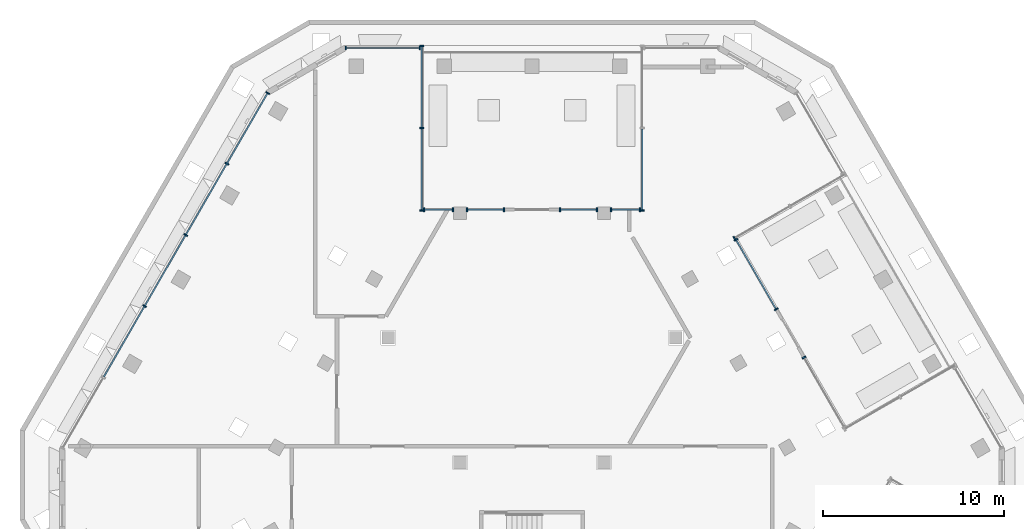
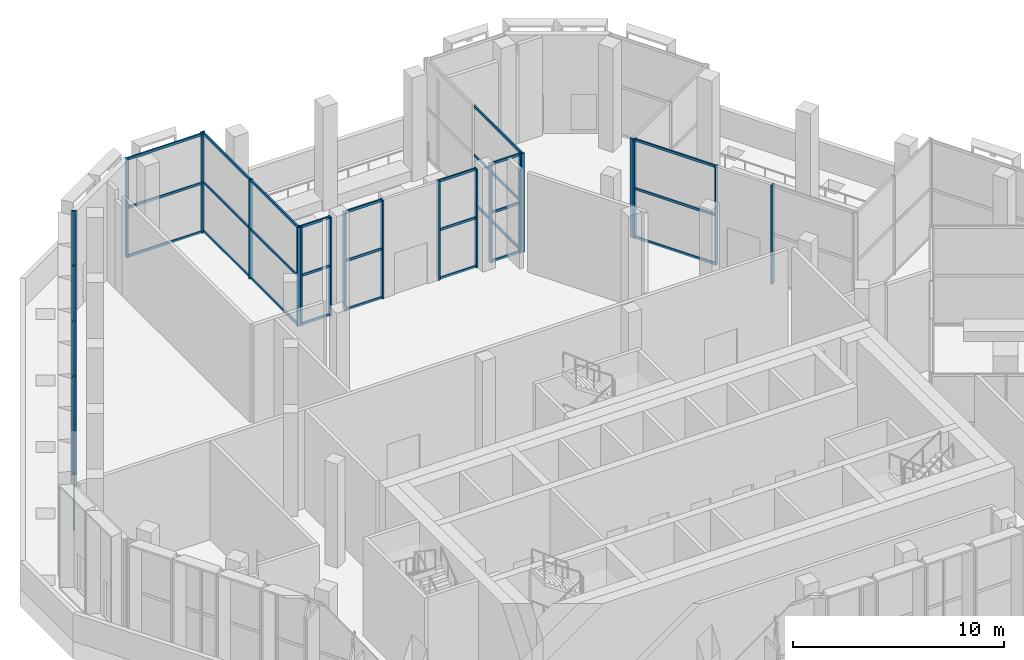
# One storey, part 4 of 23: 61 members, 11 elements without a shape of their own.
"""IFC4 building model written with IfcOpenShell, lengths in metres."""

from ifc_helpers import new_model, si_unit, direction, frame, origin, origin_2d, place, context, subcontext, project, spatial, rectangle, hollow_rectangle, extrude, material, material_profile, profile_set, type_object, element, aggregate, save


model = new_model("IFC4")

# Units and contexts
model_context = context("Model", 3, precision=1e-05, world=origin(), true_north=direction((0.0, 1.0)))
body_context = subcontext(model_context, "Body", "Model", "MODEL_VIEW")
ifc_project = project(units=[si_unit("LENGTHUNIT", "METRE"), si_unit("AREAUNIT", "SQUARE_METRE"), si_unit("VOLUMEUNIT", "CUBIC_METRE"), si_unit("PLANEANGLEUNIT", "RADIAN"), si_unit("MASSUNIT", "GRAM", prefix="KILO")], contexts=[model_context])

# Site, building, storey
site_placement = place(None, origin())
site = spatial("IfcSite", under=ifc_project, at=site_placement, CompositionType="ELEMENT")
building_placement = place(site_placement, origin())
building = spatial("IfcBuilding", under=site, at=building_placement, Name="Beryl Residences", CompositionType="ELEMENT")
storey_placement = place(building_placement, frame((0.0, 0.0, 157.199951171875)))
storey = spatial("IfcBuildingStorey", under=building, at=storey_placement, Name="L48", CompositionType="ELEMENT", Elevation=157.199951171875)

# Curtain wall, members
ifc_material_1 = material(Name="Aluminium and clear glass", Category="aluminium")
curtain_wall_type = type_object("IfcCurtainWallType", Name="CW3 sky garden glazing glazed wall", PredefinedType="NOTDEFINED", material=ifc_material_1)
curtain_wall_1_placement = place(storey_placement, origin())
curtain_wall_1 = element("IfcCurtainWall", 1, at=curtain_wall_1_placement, inside=storey, type_object=curtain_wall_type, Name="CW3 L48 N", PredefinedType="NOTDEFINED")
ifc_material_2 = material(Name="Aluminium", Category="aluminium")
ifc_material_profile_1 = material_profile(ifc_material_2, rectangle(XDim=0.080078125, YDim=0.219970703125, at=origin_2d()))
ifc_profile_set_1 = profile_set([ifc_material_profile_1], Name="Aluminium")
member_type_1 = type_object("IfcMemberType", Name="CW3-M mullion 80 x 220 mm", PredefinedType="MULLION", material=ifc_profile_set_1)
member_1_placement = place(storey_placement, frame((-6.215087890625, 24.050048828125, 0.0), z_axis=(0.0, 0.0, 1.0), x_axis=(-1.0, 0.0, 0.0)))
member_1 = element("IfcMember", 2, at=member_1_placement, type_object=member_type_1, Name="CW3 mullion 1", PredefinedType="MULLION", context=body_context, shape_type="SweptSolid", body=[
    extrude(rectangle(XDim=0.080078125, YDim=0.219970703125, at=origin_2d()), origin(), (0.0, 0.0, 1.0), 5.699951171875),
])
member_2_placement = place(storey_placement, frame((-10.31201171875, 24.050048828125, 0.0), z_axis=(0.0, 0.0, 1.0), x_axis=(-1.0, 0.0, 0.0)))
member_2 = element("IfcMember", 3, at=member_2_placement, type_object=member_type_1, Name="CW3 mullion 2", PredefinedType="MULLION", context=body_context, shape_type="SweptSolid", body=[
    extrude(rectangle(XDim=0.080078125, YDim=0.219970703125, at=origin_2d()), origin(), (0.0, 0.0, 1.0), 5.699951171875),
])

curtain_wall_2_placement = place(storey_placement, origin())
curtain_wall_2 = element("IfcCurtainWall", 4, at=curtain_wall_2_placement, inside=storey, type_object=curtain_wall_type, Name="CW3 L48 NW", PredefinedType="NOTDEFINED")
member_3_placement = place(storey_placement, frame((-14.633056640625, 21.555419921875, 0.0), z_axis=(0.0, 0.0, 1.0), x_axis=(-0.499996022832, -0.866027699992, 0.0)))
member_3 = element("IfcMember", 5, at=member_3_placement, type_object=member_type_1, Name="CW3 mullion 1", PredefinedType="MULLION", context=body_context, shape_type="SweptSolid", body=[
    extrude(rectangle(XDim=0.080078125, YDim=0.219970703125, at=origin_2d()), origin(), (0.0, 0.0, 1.0), 5.699951171875),
])
member_4_placement = place(storey_placement, frame((-16.89111328125, 17.64404296875, 0.0), z_axis=(0.0, 0.0, 1.0), x_axis=(-0.499996022832, -0.866027699992, 0.0)))
member_4 = element("IfcMember", 6, at=member_4_placement, type_object=member_type_1, Name="CW3 mullion 2", PredefinedType="MULLION", context=body_context, shape_type="SweptSolid", body=[
    extrude(rectangle(XDim=0.080078125, YDim=0.219970703125, at=origin_2d()), origin(), (0.0, 0.0, 1.0), 5.699951171875),
])
member_5_placement = place(storey_placement, frame((-19.16943359375, 13.697998046875, 0.0), z_axis=(0.0, 0.0, 1.0), x_axis=(-0.499996022832, -0.866027699992, 0.0)))
member_5 = element("IfcMember", 7, at=member_5_placement, type_object=member_type_1, Name="CW3 mullion 3", PredefinedType="MULLION", context=body_context, shape_type="SweptSolid", body=[
    extrude(rectangle(XDim=0.080078125, YDim=0.219970703125, at=origin_2d()), origin(), (0.0, 0.0, 1.0), 5.699951171875),
])
member_6_placement = place(storey_placement, frame((-21.447509765625, 9.751953125, 0.0), z_axis=(0.0, 0.0, 1.0), x_axis=(-0.499996022832, -0.866027699992, 0.0)))
member_6 = element("IfcMember", 8, at=member_6_placement, type_object=member_type_1, Name="CW3 mullion 4", PredefinedType="MULLION", context=body_context, shape_type="SweptSolid", body=[
    extrude(rectangle(XDim=0.080078125, YDim=0.219970703125, at=origin_2d()), origin(), (0.0, 0.0, 1.0), 5.699951171875),
])

curtain_wall_3_placement = place(storey_placement, origin())
curtain_wall_3 = element("IfcCurtainWall", 9, at=curtain_wall_3_placement, inside=storey, type_object=curtain_wall_type, Name="CW3 L48 N garden back", PredefinedType="NOTDEFINED")
member_7_placement = place(storey_placement, frame((5.985107421875, 15.10009765625, 0.0), z_axis=(0.0, 0.0, 1.0), x_axis=(-1.0, 0.0, 0.0)))
member_7 = element("IfcMember", 10, at=member_7_placement, type_object=member_type_1, Name="CW3 mullion 1", PredefinedType="MULLION", context=body_context, shape_type="SweptSolid", body=[
    extrude(rectangle(XDim=0.080078125, YDim=0.219970703125, at=origin_2d()), origin(), (0.0, 0.0, 1.0), 5.699951171875),
])
member_8_placement = place(storey_placement, frame((4.37890625, 15.10009765625, 0.0), z_axis=(0.0, 0.0, 1.0), x_axis=(-1.0, 0.0, 0.0)))
member_8 = element("IfcMember", 11, at=member_8_placement, type_object=member_type_1, Name="CW3 mullion 2", PredefinedType="MULLION", context=body_context, shape_type="SweptSolid", body=[
    extrude(rectangle(XDim=0.080078125, YDim=0.219970703125, at=origin_2d()), origin(), (0.0, 0.0, 1.0), 5.699951171875),
])

curtain_wall_4_placement = place(storey_placement, origin())
curtain_wall_4 = element("IfcCurtainWall", 12, at=curtain_wall_4_placement, inside=storey, type_object=curtain_wall_type, Name="CW3 L48 N garden back", PredefinedType="NOTDEFINED")
member_9_placement = place(storey_placement, frame((3.589111328125, 15.10009765625, 0.0), z_axis=(0.0, 0.0, 1.0), x_axis=(-1.0, 0.0, 0.0)))
member_9 = element("IfcMember", 13, at=member_9_placement, type_object=member_type_1, Name="CW3 mullion 1", PredefinedType="MULLION", context=body_context, shape_type="SweptSolid", body=[
    extrude(rectangle(XDim=0.080078125, YDim=0.219970703125, at=origin_2d()), origin(), (0.0, 0.0, 1.0), 5.699951171875),
])
member_10_placement = place(storey_placement, frame((1.5400390625, 15.10009765625, 0.0), z_axis=(0.0, 0.0, 1.0), x_axis=(-1.0, 0.0, 0.0)))
member_10 = element("IfcMember", 14, at=member_10_placement, type_object=member_type_1, Name="CW3 mullion 2", PredefinedType="MULLION", context=body_context, shape_type="SweptSolid", body=[
    extrude(rectangle(XDim=0.080078125, YDim=0.219970703125, at=origin_2d()), origin(), (0.0, 0.0, 1.0), 5.699951171875),
])

curtain_wall_5_placement = place(storey_placement, origin())
curtain_wall_5 = element("IfcCurtainWall", 15, at=curtain_wall_5_placement, inside=storey, type_object=curtain_wall_type, Name="CW3 L48 N garden back", PredefinedType="NOTDEFINED")
member_11_placement = place(storey_placement, frame((-1.5400390625, 15.10009765625, 0.0), z_axis=(0.0, 0.0, 1.0), x_axis=(-1.0, 0.0, 0.0)))
member_11 = element("IfcMember", 16, at=member_11_placement, type_object=member_type_1, Name="CW3 mullion 1", PredefinedType="MULLION", context=body_context, shape_type="SweptSolid", body=[
    extrude(rectangle(XDim=0.080078125, YDim=0.219970703125, at=origin_2d()), origin(), (0.0, 0.0, 1.0), 5.699951171875),
])
member_12_placement = place(storey_placement, frame((-3.589111328125, 15.10009765625, 0.0), z_axis=(0.0, 0.0, 1.0), x_axis=(-1.0, 0.0, 0.0)))
member_12 = element("IfcMember", 17, at=member_12_placement, type_object=member_type_1, Name="CW3 mullion 2", PredefinedType="MULLION", context=body_context, shape_type="SweptSolid", body=[
    extrude(rectangle(XDim=0.080078125, YDim=0.219970703125, at=origin_2d()), origin(), (0.0, 0.0, 1.0), 5.699951171875),
])

curtain_wall_6_placement = place(storey_placement, origin())
curtain_wall_6 = element("IfcCurtainWall", 18, at=curtain_wall_6_placement, inside=storey, type_object=curtain_wall_type, Name="CW3 L48 N garden back", PredefinedType="NOTDEFINED")
member_13_placement = place(storey_placement, frame((-4.37890625, 15.10009765625, 0.0), z_axis=(0.0, 0.0, 1.0), x_axis=(-1.0, 0.0, 0.0)))
member_13 = element("IfcMember", 19, at=member_13_placement, type_object=member_type_1, Name="CW3 mullion 1", PredefinedType="MULLION", context=body_context, shape_type="SweptSolid", body=[
    extrude(rectangle(XDim=0.080078125, YDim=0.219970703125, at=origin_2d()), origin(), (0.0, 0.0, 1.0), 5.699951171875),
])
member_14_placement = place(storey_placement, frame((-5.985107421875, 15.10009765625, 0.0), z_axis=(0.0, 0.0, 1.0), x_axis=(-1.0, 0.0, 0.0)))
member_14 = element("IfcMember", 20, at=member_14_placement, type_object=member_type_1, Name="CW3 mullion 2", PredefinedType="MULLION", context=body_context, shape_type="SweptSolid", body=[
    extrude(rectangle(XDim=0.080078125, YDim=0.219970703125, at=origin_2d()), origin(), (0.0, 0.0, 1.0), 5.699951171875),
])

# Curtain wall, member
curtain_wall_7_placement = place(storey_placement, origin())
curtain_wall_7 = element("IfcCurtainWall", 21, at=curtain_wall_7_placement, inside=storey, type_object=curtain_wall_type, Name="CW3 L48 N garden left", PredefinedType="NOTDEFINED")
member_15_placement = place(storey_placement, frame((6.10009765625, 15.06494140625, 0.0), z_axis=(0.0, 0.0, 1.0), x_axis=(0.0, -1.0, 0.0)))
member_15 = element("IfcMember", 22, at=member_15_placement, type_object=member_type_1, Name="CW3 mullion 3", PredefinedType="MULLION", context=body_context, shape_type="SweptSolid", body=[
    extrude(rectangle(XDim=0.080078125, YDim=0.219970703125, at=origin_2d()), origin(), (0.0, 0.0, 1.0), 5.699951171875),
])

# Curtain wall, members
curtain_wall_8_placement = place(storey_placement, origin())
curtain_wall_8 = element("IfcCurtainWall", 23, at=curtain_wall_8_placement, inside=storey, type_object=curtain_wall_type, Name="CW3 L48 N garden right", PredefinedType="NOTDEFINED")
member_16_placement = place(storey_placement, frame((-6.10009765625, 24.159912109375, 0.0), z_axis=(0.0, 0.0, 1.0), x_axis=(0.0, -1.0, 0.0)))
member_16 = element("IfcMember", 24, at=member_16_placement, type_object=member_type_1, Name="CW3 mullion 1", PredefinedType="MULLION", context=body_context, shape_type="SweptSolid", body=[
    extrude(rectangle(XDim=0.080078125, YDim=0.219970703125, at=origin_2d()), origin(), (0.0, 0.0, 1.0), 5.699951171875),
])
member_17_placement = place(storey_placement, frame((-6.10009765625, 19.612548828125, 0.0), z_axis=(0.0, 0.0, 1.0), x_axis=(0.0, -1.0, 0.0)))
member_17 = element("IfcMember", 25, at=member_17_placement, type_object=member_type_1, Name="CW3 mullion 2", PredefinedType="MULLION", context=body_context, shape_type="SweptSolid", body=[
    extrude(rectangle(XDim=0.080078125, YDim=0.219970703125, at=origin_2d()), origin(), (0.0, 0.0, 1.0), 5.699951171875),
])
member_18_placement = place(storey_placement, frame((-6.10009765625, 15.06494140625, 0.0), z_axis=(0.0, 0.0, 1.0), x_axis=(0.0, -1.0, 0.0)))
member_18 = element("IfcMember", 26, at=member_18_placement, type_object=member_type_1, Name="CW3 mullion 3", PredefinedType="MULLION", context=body_context, shape_type="SweptSolid", body=[
    extrude(rectangle(XDim=0.080078125, YDim=0.219970703125, at=origin_2d()), origin(), (0.0, 0.0, 1.0), 5.699951171875),
])

# Curtain wall, member
curtain_wall_9_placement = place(storey_placement, origin())
curtain_wall_9 = element("IfcCurtainWall", 27, at=curtain_wall_9_placement, inside=storey, type_object=curtain_wall_type, Name="CW3 L48 NE garden back", PredefinedType="NOTDEFINED")
member_19_placement = place(storey_placement, frame((15.05908203125, 6.916259765625, 0.0), z_axis=(0.0, 0.0, 1.0), x_axis=(-0.500060373122, 0.86599054454, 0.0)))
member_19 = element("IfcMember", 28, at=member_19_placement, type_object=member_type_1, Name="CW3 mullion 2", PredefinedType="MULLION", context=body_context, shape_type="SweptSolid", body=[
    extrude(rectangle(XDim=0.080078125, YDim=0.219970703125, at=origin_2d()), origin(), (0.0, 0.0, 1.0), 5.699951171875),
])
aggregate(curtain_wall_9, [member_19])

# Curtain wall, members
curtain_wall_10_placement = place(storey_placement, origin())
curtain_wall_10 = element("IfcCurtainWall", 29, at=curtain_wall_10_placement, inside=storey, type_object=curtain_wall_type, Name="CW3 L48 NE garden back", PredefinedType="NOTDEFINED")
member_20_placement = place(storey_placement, frame((13.51904296875, 9.583740234375, 0.0), z_axis=(0.0, 0.0, 1.0), x_axis=(-0.499894629762, 0.866086230773, 0.0)))
member_20 = element("IfcMember", 30, at=member_20_placement, type_object=member_type_1, Name="CW3 mullion 1", PredefinedType="MULLION", context=body_context, shape_type="SweptSolid", body=[
    extrude(rectangle(XDim=0.080078125, YDim=0.219970703125, at=origin_2d()), origin(), (0.0, 0.0, 1.0), 5.699951171875),
])
member_21_placement = place(storey_placement, frame((11.296875, 13.433349609375, 0.0), z_axis=(0.0, 0.0, 1.0), x_axis=(-0.499894629762, 0.866086230773, 0.0)))
member_21 = element("IfcMember", 31, at=member_21_placement, type_object=member_type_1, Name="CW3 mullion 2", PredefinedType="MULLION", context=body_context, shape_type="SweptSolid", body=[
    extrude(rectangle(XDim=0.080078125, YDim=0.219970703125, at=origin_2d()), origin(), (0.0, 0.0, 1.0), 5.699951171875),
])

# Curtain wall, member
curtain_wall_11_placement = place(storey_placement, origin())
curtain_wall_11 = element("IfcCurtainWall", 32, at=curtain_wall_11_placement, inside=storey, type_object=curtain_wall_type, Name="CW3 L48 NE garden right", PredefinedType="NOTDEFINED")
member_22_placement = place(storey_placement, frame((11.208740234375, 13.514892578125, 0.0), z_axis=(0.0, 0.0, 1.0), x_axis=(-0.866004557823, -0.500036104527, 0.0)))
member_22 = element("IfcMember", 33, at=member_22_placement, type_object=member_type_1, Name="CW3 mullion 3", PredefinedType="MULLION", context=body_context, shape_type="SweptSolid", body=[
    extrude(rectangle(XDim=0.080078125, YDim=0.219970703125, at=origin_2d()), origin(), (0.0, 0.0, 1.0), 5.699951171875),
])
aggregate(curtain_wall_11, [member_22])

# Member
ifc_material_3 = material(Name="Aluminium", Category="aluminium")
ifc_material_profile_2 = material_profile(ifc_material_3, hollow_rectangle(XDim=0.080078125, YDim=0.139892578125, WallThickness=0.00390625, at=origin_2d()))
ifc_profile_set_2 = profile_set([ifc_material_profile_2], Name="Aluminium")
member_type_2 = type_object("IfcMemberType", Name="CW3-T transom 80 x 140 mm", PredefinedType="USERDEFINED", material=ifc_profile_set_2)
member_23_placement = place(storey_placement, frame((-6.2548828125, 24.050048828125, 0.0400390625), z_axis=(-1.0, 0.0, 0.0), x_axis=(0.0, -1.0, 0.0)))
member_23 = element("IfcMember", 34, at=member_23_placement, type_object=member_type_2, Name="CW3 transom 1.1", ObjectType="TRANSOM", PredefinedType="USERDEFINED", context=body_context, shape_type="SweptSolid", body=[
    extrude(hollow_rectangle(XDim=0.080078125, YDim=0.139892578125, WallThickness=0.00390625, at=origin_2d()), origin(), (0.0, 0.0, 1.0), 4.01708984375),
])

member_24_placement = place(storey_placement, frame((-6.2548828125, 24.050048828125, 2.85009765625), z_axis=(-1.0, 0.0, 0.0), x_axis=(0.0, -1.0, 0.0)))
member_24 = element("IfcMember", 35, at=member_24_placement, type_object=member_type_2, Name="CW3 transom 1.2", ObjectType="TRANSOM", PredefinedType="USERDEFINED", context=body_context, shape_type="SweptSolid", body=[
    extrude(hollow_rectangle(XDim=0.080078125, YDim=0.139892578125, WallThickness=0.00390625, at=origin_2d()), origin(), (0.0, 0.0, 1.0), 4.01708984375),
])

member_25_placement = place(storey_placement, frame((-6.2548828125, 24.050048828125, 5.66015625), z_axis=(-1.0, 0.0, 0.0), x_axis=(0.0, -1.0, 0.0)))
member_25 = element("IfcMember", 36, at=member_25_placement, type_object=member_type_2, Name="CW3 transom 1.3", ObjectType="TRANSOM", PredefinedType="USERDEFINED", context=body_context, shape_type="SweptSolid", body=[
    extrude(hollow_rectangle(XDim=0.080078125, YDim=0.139892578125, WallThickness=0.00390625, at=origin_2d()), origin(), (0.0, 0.0, 1.0), 4.01708984375),
])

aggregate(curtain_wall_1, [member_1, member_2, member_23, member_24, member_25])

member_26_placement = place(storey_placement, frame((-14.653076171875, 21.520751953125, 0.0400390625), z_axis=(-0.49996858229, -0.866043542048, 0.0), x_axis=(0.866043542048, -0.49996858229, 0.0)))
member_26 = element("IfcMember", 37, at=member_26_placement, type_object=member_type_2, Name="CW3 transom 1.1", ObjectType="TRANSOM", PredefinedType="USERDEFINED", context=body_context, shape_type="SweptSolid", body=[
    extrude(hollow_rectangle(XDim=0.080078125, YDim=0.139892578125, WallThickness=0.00390625, at=origin_2d()), origin(), (0.0, 0.0, 1.0), 4.436279296875),
])

member_27_placement = place(storey_placement, frame((-14.653076171875, 21.520751953125, 2.85009765625), z_axis=(-0.49996858229, -0.866043542048, 0.0), x_axis=(0.866043542048, -0.49996858229, 0.0)))
member_27 = element("IfcMember", 38, at=member_27_placement, type_object=member_type_2, Name="CW3 transom 1.2", ObjectType="TRANSOM", PredefinedType="USERDEFINED", context=body_context, shape_type="SweptSolid", body=[
    extrude(hollow_rectangle(XDim=0.080078125, YDim=0.139892578125, WallThickness=0.00390625, at=origin_2d()), origin(), (0.0, 0.0, 1.0), 4.436279296875),
])

member_28_placement = place(storey_placement, frame((-14.653076171875, 21.520751953125, 5.66015625), z_axis=(-0.49996858229, -0.866043542048, 0.0), x_axis=(0.866043542048, -0.49996858229, 0.0)))
member_28 = element("IfcMember", 39, at=member_28_placement, type_object=member_type_2, Name="CW3 transom 1.3", ObjectType="TRANSOM", PredefinedType="USERDEFINED", context=body_context, shape_type="SweptSolid", body=[
    extrude(hollow_rectangle(XDim=0.080078125, YDim=0.139892578125, WallThickness=0.00390625, at=origin_2d()), origin(), (0.0, 0.0, 1.0), 4.436279296875),
])

member_29_placement = place(storey_placement, frame((-16.9111328125, 17.609375, 0.0400390625), z_axis=(-0.500010433572, -0.866019379875, 0.0), x_axis=(0.866019379875, -0.500010433572, 0.0)))
member_29 = element("IfcMember", 40, at=member_29_placement, type_object=member_type_2, Name="CW3 transom 2.1", ObjectType="TRANSOM", PredefinedType="USERDEFINED", context=body_context, shape_type="SweptSolid", body=[
    extrude(hollow_rectangle(XDim=0.080078125, YDim=0.139892578125, WallThickness=0.00390625, at=origin_2d()), origin(), (0.0, 0.0, 1.0), 4.4765625),
])

member_30_placement = place(storey_placement, frame((-16.9111328125, 17.609375, 2.85009765625), z_axis=(-0.500010433572, -0.866019379875, 0.0), x_axis=(0.866019379875, -0.500010433572, 0.0)))
member_30 = element("IfcMember", 41, at=member_30_placement, type_object=member_type_2, Name="CW3 transom 2.2", ObjectType="TRANSOM", PredefinedType="USERDEFINED", context=body_context, shape_type="SweptSolid", body=[
    extrude(hollow_rectangle(XDim=0.080078125, YDim=0.139892578125, WallThickness=0.00390625, at=origin_2d()), origin(), (0.0, 0.0, 1.0), 4.4765625),
])

member_31_placement = place(storey_placement, frame((-16.9111328125, 17.609375, 5.66015625), z_axis=(-0.500010433572, -0.866019379875, 0.0), x_axis=(0.866019379875, -0.500010433572, 0.0)))
member_31 = element("IfcMember", 42, at=member_31_placement, type_object=member_type_2, Name="CW3 transom 2.3", ObjectType="TRANSOM", PredefinedType="USERDEFINED", context=body_context, shape_type="SweptSolid", body=[
    extrude(hollow_rectangle(XDim=0.080078125, YDim=0.139892578125, WallThickness=0.00390625, at=origin_2d()), origin(), (0.0, 0.0, 1.0), 4.4765625),
])

member_32_placement = place(storey_placement, frame((-19.189453125, 13.663330078125, 0.0400390625), z_axis=(-0.499969528473, -0.866042995814, 0.0), x_axis=(0.866042995814, -0.499969528473, 0.0)))
member_32 = element("IfcMember", 43, at=member_32_placement, type_object=member_type_2, Name="CW3 transom 3.1", ObjectType="TRANSOM", PredefinedType="USERDEFINED", context=body_context, shape_type="SweptSolid", body=[
    extrude(hollow_rectangle(XDim=0.080078125, YDim=0.139892578125, WallThickness=0.00390625, at=origin_2d()), origin(), (0.0, 0.0, 1.0), 4.476318359375),
])

member_33_placement = place(storey_placement, frame((-19.189453125, 13.663330078125, 2.85009765625), z_axis=(-0.499969528473, -0.866042995814, 0.0), x_axis=(0.866042995814, -0.499969528473, 0.0)))
member_33 = element("IfcMember", 44, at=member_33_placement, type_object=member_type_2, Name="CW3 transom 3.2", ObjectType="TRANSOM", PredefinedType="USERDEFINED", context=body_context, shape_type="SweptSolid", body=[
    extrude(hollow_rectangle(XDim=0.080078125, YDim=0.139892578125, WallThickness=0.00390625, at=origin_2d()), origin(), (0.0, 0.0, 1.0), 4.476318359375),
])

member_34_placement = place(storey_placement, frame((-19.189453125, 13.663330078125, 5.66015625), z_axis=(-0.499969528473, -0.866042995814, 0.0), x_axis=(0.866042995814, -0.499969528473, 0.0)))
member_34 = element("IfcMember", 45, at=member_34_placement, type_object=member_type_2, Name="CW3 transom 3.3", ObjectType="TRANSOM", PredefinedType="USERDEFINED", context=body_context, shape_type="SweptSolid", body=[
    extrude(hollow_rectangle(XDim=0.080078125, YDim=0.139892578125, WallThickness=0.00390625, at=origin_2d()), origin(), (0.0, 0.0, 1.0), 4.476318359375),
])

member_35_placement = place(storey_placement, frame((-21.467529296875, 9.71728515625, 0.0400390625), z_axis=(-0.500010433572, -0.866019379875, 0.0), x_axis=(0.866019379875, -0.500010433572, 0.0)))
member_35 = element("IfcMember", 46, at=member_35_placement, type_object=member_type_2, Name="CW3 transom 4.1", ObjectType="TRANSOM", PredefinedType="USERDEFINED", context=body_context, shape_type="SweptSolid", body=[
    extrude(hollow_rectangle(XDim=0.080078125, YDim=0.139892578125, WallThickness=0.00390625, at=origin_2d()), origin(), (0.0, 0.0, 1.0), 4.4765625),
])

member_36_placement = place(storey_placement, frame((-21.467529296875, 9.71728515625, 2.85009765625), z_axis=(-0.500010433572, -0.866019379875, 0.0), x_axis=(0.866019379875, -0.500010433572, 0.0)))
member_36 = element("IfcMember", 47, at=member_36_placement, type_object=member_type_2, Name="CW3 transom 4.2", ObjectType="TRANSOM", PredefinedType="USERDEFINED", context=body_context, shape_type="SweptSolid", body=[
    extrude(hollow_rectangle(XDim=0.080078125, YDim=0.139892578125, WallThickness=0.00390625, at=origin_2d()), origin(), (0.0, 0.0, 1.0), 4.4765625),
])

member_37_placement = place(storey_placement, frame((-21.467529296875, 9.71728515625, 5.66015625), z_axis=(-0.500010433572, -0.866019379875, 0.0), x_axis=(0.866019379875, -0.500010433572, 0.0)))
member_37 = element("IfcMember", 48, at=member_37_placement, type_object=member_type_2, Name="CW3 transom 4.3", ObjectType="TRANSOM", PredefinedType="USERDEFINED", context=body_context, shape_type="SweptSolid", body=[
    extrude(hollow_rectangle(XDim=0.080078125, YDim=0.139892578125, WallThickness=0.00390625, at=origin_2d()), origin(), (0.0, 0.0, 1.0), 4.4765625),
])

aggregate(curtain_wall_2, [member_3, member_4, member_5, member_6, member_26, member_27, member_28, member_29, member_30, member_31, member_32, member_33, member_34, member_35, member_36, member_37])

member_38_placement = place(storey_placement, frame((5.945068359375, 15.10009765625, 0.0400390625), z_axis=(-1.0, 0.0, 0.0), x_axis=(0.0, -1.0, 0.0)))
member_38 = element("IfcMember", 49, at=member_38_placement, type_object=member_type_2, Name="CW3 transom 1.1", ObjectType="TRANSOM", PredefinedType="USERDEFINED", context=body_context, shape_type="SweptSolid", body=[
    extrude(hollow_rectangle(XDim=0.080078125, YDim=0.139892578125, WallThickness=0.00390625, at=origin_2d()), origin(), (0.0, 0.0, 1.0), 1.526123046875),
])

member_39_placement = place(storey_placement, frame((5.945068359375, 15.10009765625, 2.85009765625), z_axis=(-1.0, 0.0, 0.0), x_axis=(0.0, -1.0, 0.0)))
member_39 = element("IfcMember", 50, at=member_39_placement, type_object=member_type_2, Name="CW3 transom 1.2", ObjectType="TRANSOM", PredefinedType="USERDEFINED", context=body_context, shape_type="SweptSolid", body=[
    extrude(hollow_rectangle(XDim=0.080078125, YDim=0.139892578125, WallThickness=0.00390625, at=origin_2d()), origin(), (0.0, 0.0, 1.0), 1.526123046875),
])

member_40_placement = place(storey_placement, frame((5.945068359375, 15.10009765625, 5.66015625), z_axis=(-1.0, 0.0, 0.0), x_axis=(0.0, -1.0, 0.0)))
member_40 = element("IfcMember", 51, at=member_40_placement, type_object=member_type_2, Name="CW3 transom 1.3", ObjectType="TRANSOM", PredefinedType="USERDEFINED", context=body_context, shape_type="SweptSolid", body=[
    extrude(hollow_rectangle(XDim=0.080078125, YDim=0.139892578125, WallThickness=0.00390625, at=origin_2d()), origin(), (0.0, 0.0, 1.0), 1.526123046875),
])

aggregate(curtain_wall_3, [member_7, member_8, member_38, member_39, member_40])

member_41_placement = place(storey_placement, frame((3.549072265625, 15.10009765625, 0.0400390625), z_axis=(-1.0, 0.0, 0.0), x_axis=(0.0, -1.0, 0.0)))
member_41 = element("IfcMember", 52, at=member_41_placement, type_object=member_type_2, Name="CW3 transom 1.1", ObjectType="TRANSOM", PredefinedType="USERDEFINED", context=body_context, shape_type="SweptSolid", body=[
    extrude(hollow_rectangle(XDim=0.080078125, YDim=0.139892578125, WallThickness=0.00390625, at=origin_2d()), origin(), (0.0, 0.0, 1.0), 1.968994140625),
])

member_42_placement = place(storey_placement, frame((3.549072265625, 15.10009765625, 2.85009765625), z_axis=(-1.0, 0.0, 0.0), x_axis=(0.0, -1.0, 0.0)))
member_42 = element("IfcMember", 53, at=member_42_placement, type_object=member_type_2, Name="CW3 transom 1.2", ObjectType="TRANSOM", PredefinedType="USERDEFINED", context=body_context, shape_type="SweptSolid", body=[
    extrude(hollow_rectangle(XDim=0.080078125, YDim=0.139892578125, WallThickness=0.00390625, at=origin_2d()), origin(), (0.0, 0.0, 1.0), 1.968994140625),
])

member_43_placement = place(storey_placement, frame((3.549072265625, 15.10009765625, 5.66015625), z_axis=(-1.0, 0.0, 0.0), x_axis=(0.0, -1.0, 0.0)))
member_43 = element("IfcMember", 54, at=member_43_placement, type_object=member_type_2, Name="CW3 transom 1.3", ObjectType="TRANSOM", PredefinedType="USERDEFINED", context=body_context, shape_type="SweptSolid", body=[
    extrude(hollow_rectangle(XDim=0.080078125, YDim=0.139892578125, WallThickness=0.00390625, at=origin_2d()), origin(), (0.0, 0.0, 1.0), 1.968994140625),
])

aggregate(curtain_wall_4, [member_9, member_10, member_41, member_42, member_43])

member_44_placement = place(storey_placement, frame((-1.580078125, 15.10009765625, 0.0400390625), z_axis=(-1.0, 0.0, 0.0), x_axis=(0.0, -1.0, 0.0)))
member_44 = element("IfcMember", 55, at=member_44_placement, type_object=member_type_2, Name="CW3 transom 1.1", ObjectType="TRANSOM", PredefinedType="USERDEFINED", context=body_context, shape_type="SweptSolid", body=[
    extrude(hollow_rectangle(XDim=0.080078125, YDim=0.139892578125, WallThickness=0.00390625, at=origin_2d()), origin(), (0.0, 0.0, 1.0), 1.968994140625),
])

member_45_placement = place(storey_placement, frame((-1.580078125, 15.10009765625, 2.85009765625), z_axis=(-1.0, 0.0, 0.0), x_axis=(0.0, -1.0, 0.0)))
member_45 = element("IfcMember", 56, at=member_45_placement, type_object=member_type_2, Name="CW3 transom 1.2", ObjectType="TRANSOM", PredefinedType="USERDEFINED", context=body_context, shape_type="SweptSolid", body=[
    extrude(hollow_rectangle(XDim=0.080078125, YDim=0.139892578125, WallThickness=0.00390625, at=origin_2d()), origin(), (0.0, 0.0, 1.0), 1.968994140625),
])

member_46_placement = place(storey_placement, frame((-1.580078125, 15.10009765625, 5.66015625), z_axis=(-1.0, 0.0, 0.0), x_axis=(0.0, -1.0, 0.0)))
member_46 = element("IfcMember", 57, at=member_46_placement, type_object=member_type_2, Name="CW3 transom 1.3", ObjectType="TRANSOM", PredefinedType="USERDEFINED", context=body_context, shape_type="SweptSolid", body=[
    extrude(hollow_rectangle(XDim=0.080078125, YDim=0.139892578125, WallThickness=0.00390625, at=origin_2d()), origin(), (0.0, 0.0, 1.0), 1.968994140625),
])

aggregate(curtain_wall_5, [member_11, member_12, member_44, member_45, member_46])

member_47_placement = place(storey_placement, frame((-4.4189453125, 15.10009765625, 0.0400390625), z_axis=(-1.0, 0.0, 0.0), x_axis=(0.0, -1.0, 0.0)))
member_47 = element("IfcMember", 58, at=member_47_placement, type_object=member_type_2, Name="CW3 transom 1.1", ObjectType="TRANSOM", PredefinedType="USERDEFINED", context=body_context, shape_type="SweptSolid", body=[
    extrude(hollow_rectangle(XDim=0.080078125, YDim=0.139892578125, WallThickness=0.00390625, at=origin_2d()), origin(), (0.0, 0.0, 1.0), 1.526123046875),
])

member_48_placement = place(storey_placement, frame((-4.4189453125, 15.10009765625, 2.85009765625), z_axis=(-1.0, 0.0, 0.0), x_axis=(0.0, -1.0, 0.0)))
member_48 = element("IfcMember", 59, at=member_48_placement, type_object=member_type_2, Name="CW3 transom 1.2", ObjectType="TRANSOM", PredefinedType="USERDEFINED", context=body_context, shape_type="SweptSolid", body=[
    extrude(hollow_rectangle(XDim=0.080078125, YDim=0.139892578125, WallThickness=0.00390625, at=origin_2d()), origin(), (0.0, 0.0, 1.0), 1.526123046875),
])

member_49_placement = place(storey_placement, frame((-4.4189453125, 15.10009765625, 5.66015625), z_axis=(-1.0, 0.0, 0.0), x_axis=(0.0, -1.0, 0.0)))
member_49 = element("IfcMember", 60, at=member_49_placement, type_object=member_type_2, Name="CW3 transom 1.3", ObjectType="TRANSOM", PredefinedType="USERDEFINED", context=body_context, shape_type="SweptSolid", body=[
    extrude(hollow_rectangle(XDim=0.080078125, YDim=0.139892578125, WallThickness=0.00390625, at=origin_2d()), origin(), (0.0, 0.0, 1.0), 1.526123046875),
])

aggregate(curtain_wall_6, [member_13, member_14, member_47, member_48, member_49])

member_50_placement = place(storey_placement, frame((6.10009765625, 19.572509765625, 0.0400390625), z_axis=(0.0, -1.0, 0.0), x_axis=(1.0, 0.0, 0.0)))
member_50 = element("IfcMember", 61, at=member_50_placement, type_object=member_type_2, Name="CW3 transom 2.1", ObjectType="TRANSOM", PredefinedType="USERDEFINED", context=body_context, shape_type="SweptSolid", body=[
    extrude(hollow_rectangle(XDim=0.080078125, YDim=0.139892578125, WallThickness=0.00390625, at=origin_2d()), origin(), (0.0, 0.0, 1.0), 4.467529296875),
])

member_51_placement = place(storey_placement, frame((6.10009765625, 19.572509765625, 2.85009765625), z_axis=(0.0, -1.0, 0.0), x_axis=(1.0, 0.0, 0.0)))
member_51 = element("IfcMember", 62, at=member_51_placement, type_object=member_type_2, Name="CW3 transom 2.2", ObjectType="TRANSOM", PredefinedType="USERDEFINED", context=body_context, shape_type="SweptSolid", body=[
    extrude(hollow_rectangle(XDim=0.080078125, YDim=0.139892578125, WallThickness=0.00390625, at=origin_2d()), origin(), (0.0, 0.0, 1.0), 4.467529296875),
])

member_52_placement = place(storey_placement, frame((6.10009765625, 19.572509765625, 5.66015625), z_axis=(0.0, -1.0, 0.0), x_axis=(1.0, 0.0, 0.0)))
member_52 = element("IfcMember", 63, at=member_52_placement, type_object=member_type_2, Name="CW3 transom 2.3", ObjectType="TRANSOM", PredefinedType="USERDEFINED", context=body_context, shape_type="SweptSolid", body=[
    extrude(hollow_rectangle(XDim=0.080078125, YDim=0.139892578125, WallThickness=0.00390625, at=origin_2d()), origin(), (0.0, 0.0, 1.0), 4.467529296875),
])

aggregate(curtain_wall_7, [member_15, member_50, member_51, member_52])

member_53_placement = place(storey_placement, frame((-6.10009765625, 24.1201171875, 0.0400390625), z_axis=(0.0, -1.0, 0.0), x_axis=(1.0, 0.0, 0.0)))
member_53 = element("IfcMember", 64, at=member_53_placement, type_object=member_type_2, Name="CW3 transom 1.1", ObjectType="TRANSOM", PredefinedType="USERDEFINED", context=body_context, shape_type="SweptSolid", body=[
    extrude(hollow_rectangle(XDim=0.080078125, YDim=0.139892578125, WallThickness=0.00390625, at=origin_2d()), origin(), (0.0, 0.0, 1.0), 4.467529296875),
])

member_54_placement = place(storey_placement, frame((-6.10009765625, 24.1201171875, 2.85009765625), z_axis=(0.0, -1.0, 0.0), x_axis=(1.0, 0.0, 0.0)))
member_54 = element("IfcMember", 65, at=member_54_placement, type_object=member_type_2, Name="CW3 transom 1.2", ObjectType="TRANSOM", PredefinedType="USERDEFINED", context=body_context, shape_type="SweptSolid", body=[
    extrude(hollow_rectangle(XDim=0.080078125, YDim=0.139892578125, WallThickness=0.00390625, at=origin_2d()), origin(), (0.0, 0.0, 1.0), 4.467529296875),
])

member_55_placement = place(storey_placement, frame((-6.10009765625, 24.1201171875, 5.66015625), z_axis=(0.0, -1.0, 0.0), x_axis=(1.0, 0.0, 0.0)))
member_55 = element("IfcMember", 66, at=member_55_placement, type_object=member_type_2, Name="CW3 transom 1.3", ObjectType="TRANSOM", PredefinedType="USERDEFINED", context=body_context, shape_type="SweptSolid", body=[
    extrude(hollow_rectangle(XDim=0.080078125, YDim=0.139892578125, WallThickness=0.00390625, at=origin_2d()), origin(), (0.0, 0.0, 1.0), 4.467529296875),
])

member_56_placement = place(storey_placement, frame((-6.10009765625, 19.572509765625, 0.0400390625), z_axis=(0.0, -1.0, 0.0), x_axis=(1.0, 0.0, 0.0)))
member_56 = element("IfcMember", 67, at=member_56_placement, type_object=member_type_2, Name="CW3 transom 2.1", ObjectType="TRANSOM", PredefinedType="USERDEFINED", context=body_context, shape_type="SweptSolid", body=[
    extrude(hollow_rectangle(XDim=0.080078125, YDim=0.139892578125, WallThickness=0.00390625, at=origin_2d()), origin(), (0.0, 0.0, 1.0), 4.467529296875),
])

member_57_placement = place(storey_placement, frame((-6.10009765625, 19.572509765625, 2.85009765625), z_axis=(0.0, -1.0, 0.0), x_axis=(1.0, 0.0, 0.0)))
member_57 = element("IfcMember", 68, at=member_57_placement, type_object=member_type_2, Name="CW3 transom 2.2", ObjectType="TRANSOM", PredefinedType="USERDEFINED", context=body_context, shape_type="SweptSolid", body=[
    extrude(hollow_rectangle(XDim=0.080078125, YDim=0.139892578125, WallThickness=0.00390625, at=origin_2d()), origin(), (0.0, 0.0, 1.0), 4.467529296875),
])

member_58_placement = place(storey_placement, frame((-6.10009765625, 19.572509765625, 5.66015625), z_axis=(0.0, -1.0, 0.0), x_axis=(1.0, 0.0, 0.0)))
member_58 = element("IfcMember", 69, at=member_58_placement, type_object=member_type_2, Name="CW3 transom 2.3", ObjectType="TRANSOM", PredefinedType="USERDEFINED", context=body_context, shape_type="SweptSolid", body=[
    extrude(hollow_rectangle(XDim=0.080078125, YDim=0.139892578125, WallThickness=0.00390625, at=origin_2d()), origin(), (0.0, 0.0, 1.0), 4.467529296875),
])

aggregate(curtain_wall_8, [member_16, member_17, member_18, member_53, member_54, member_55, member_56, member_57, member_58])

member_59_placement = place(storey_placement, frame((13.4990234375, 9.618408203125, 0.0400390625), z_axis=(-0.499929037478, 0.866066370139, 0.0), x_axis=(-0.866066370139, -0.499929037478, 0.0)))
member_59 = element("IfcMember", 70, at=member_59_placement, type_object=member_type_2, Name="CW3 transom 1.1", ObjectType="TRANSOM", PredefinedType="USERDEFINED", context=body_context, shape_type="SweptSolid", body=[
    extrude(hollow_rectangle(XDim=0.080078125, YDim=0.139892578125, WallThickness=0.00390625, at=origin_2d()), origin(), (0.0, 0.0, 1.0), 4.364990234375),
])

member_60_placement = place(storey_placement, frame((13.4990234375, 9.618408203125, 2.85009765625), z_axis=(-0.499929037478, 0.866066370139, 0.0), x_axis=(-0.866066370139, -0.499929037478, 0.0)))
member_60 = element("IfcMember", 71, at=member_60_placement, type_object=member_type_2, Name="CW3 transom 1.2", ObjectType="TRANSOM", PredefinedType="USERDEFINED", context=body_context, shape_type="SweptSolid", body=[
    extrude(hollow_rectangle(XDim=0.080078125, YDim=0.139892578125, WallThickness=0.00390625, at=origin_2d()), origin(), (0.0, 0.0, 1.0), 4.364990234375),
])

member_61_placement = place(storey_placement, frame((13.4990234375, 9.618408203125, 5.66015625), z_axis=(-0.499929037478, 0.866066370139, 0.0), x_axis=(-0.866066370139, -0.499929037478, 0.0)))
member_61 = element("IfcMember", 72, at=member_61_placement, type_object=member_type_2, Name="CW3 transom 1.3", ObjectType="TRANSOM", PredefinedType="USERDEFINED", context=body_context, shape_type="SweptSolid", body=[
    extrude(hollow_rectangle(XDim=0.080078125, YDim=0.139892578125, WallThickness=0.00390625, at=origin_2d()), origin(), (0.0, 0.0, 1.0), 4.364990234375),
])

aggregate(curtain_wall_10, [member_20, member_21, member_59, member_60, member_61])

save(model, "model.ifc")
